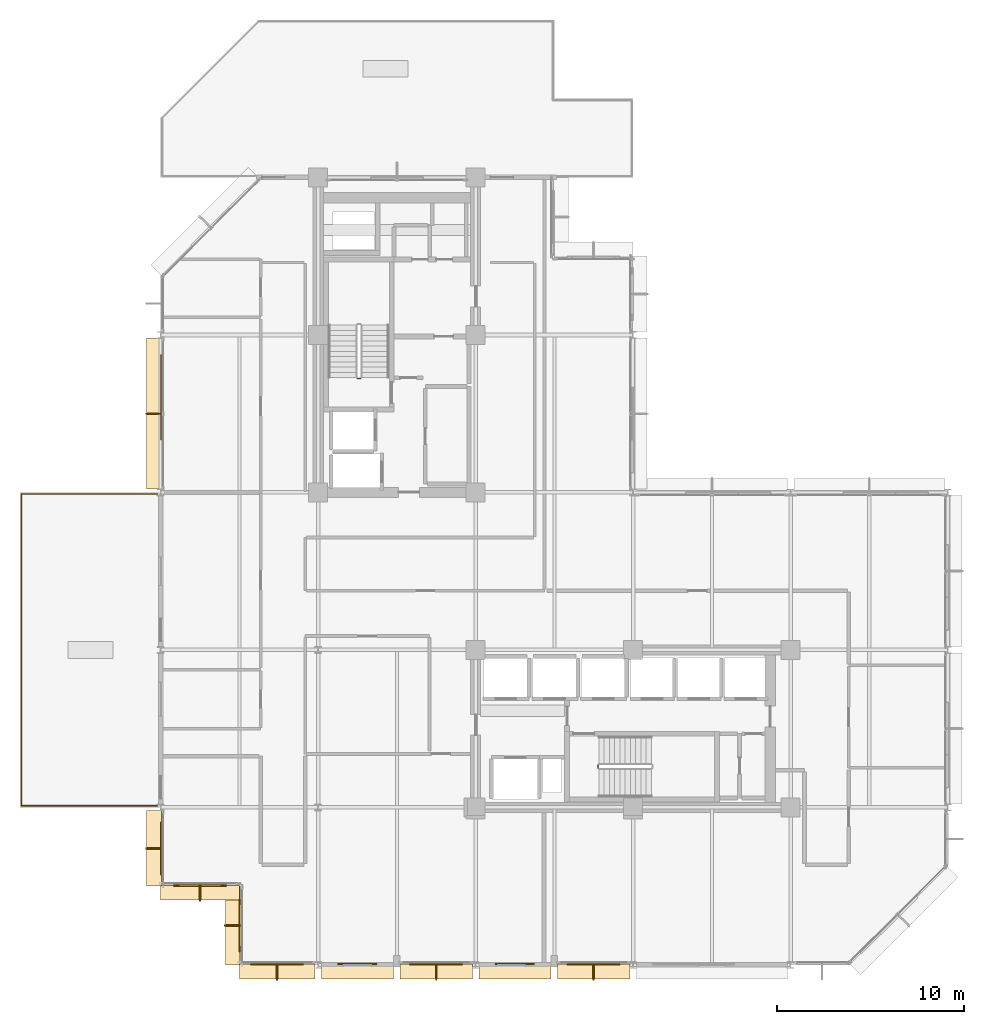
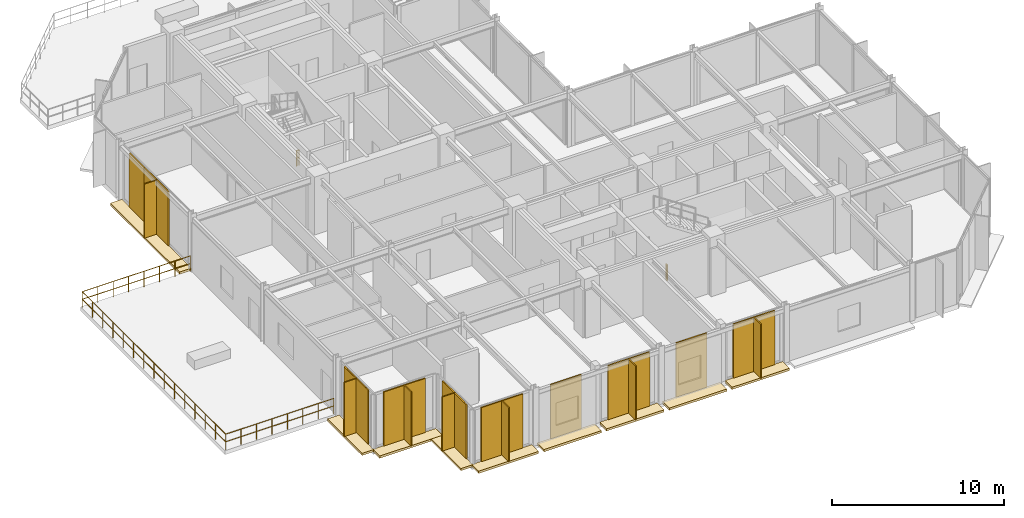
# One storey, part 19 of 21: 18 coverings, 14 shading devices, 5 railings.
"""IFC4 building model written with IfcOpenShell, lengths in metres."""

from ifc_helpers import new_model, si_unit, direction, frame, origin, origin_2d, place, context, subcontext, project, spatial, polyline, rectangle, circle, outline, extrude, material, layer, layer_set, type_object, element, save


model = new_model("IFC4")

# Units and contexts
model_context = context("Model", 3, precision=1e-05, world=origin(), true_north=direction((0.0, 1.0)))
body_context = subcontext(model_context, "Body", "Model", "MODEL_VIEW")
ifc_project = project(units=[si_unit("LENGTHUNIT", "METRE"), si_unit("AREAUNIT", "SQUARE_METRE"), si_unit("VOLUMEUNIT", "CUBIC_METRE"), si_unit("PLANEANGLEUNIT", "RADIAN"), si_unit("MASSUNIT", "GRAM", prefix="KILO")], contexts=[model_context])

# Site, building, storey
site_placement = place(None, origin())
site = spatial("IfcSite", under=ifc_project, at=site_placement, CompositionType="ELEMENT")
building_placement = place(site_placement, origin())
building = spatial("IfcBuilding", under=site, at=building_placement, Name="Nerrivon Quay Data Exchange", CompositionType="ELEMENT")
storey_placement = place(building_placement, frame((0.0, 0.0, 220.60009765625)))
storey = spatial("IfcBuildingStorey", under=building, at=storey_placement, Name="L52", CompositionType="ELEMENT", Elevation=220.60009765625)

# Coverings
ifc_material_1 = material(Name="Architectural terracotta ceramic", Category="masonry")
ifc_layer_1 = layer(ifc_material_1, 0.159912109375)
ifc_layer_set_1 = layer_set([ifc_layer_1], Name="Architectural terracotta ceramic")
covering_type_1 = type_object("IfcCoveringType", Name="COV-BLD-TERR", PredefinedType="CLADDING", material=ifc_layer_set_1)
covering_1_placement = place(storey_placement, frame((0.0, 0.0, -0.16015625)))
element("IfcCovering", 1, at=covering_1_placement, inside=storey, type_object=covering_type_1, Name="L52 Horizontal Terracotta SOLAR SCREEN Blade", PredefinedType="CLADDING", context=body_context, shape_type="SweptSolid", body=[
    extrude(outline(polyline([(25.02490234375, 0.0400390625), (21.175048828125, 0.0400390625), (21.175048828125, -0.75), (25.02490234375, -0.75), (25.02490234375, 0.0400390625)])), origin(), (0.0, 0.0, 1.0), 0.16015625),
])
covering_2_placement = place(storey_placement, frame((0.0, 0.0, -0.16015625)))
element("IfcCovering", 2, at=covering_2_placement, inside=storey, type_object=covering_type_1, Name="L52 Horizontal Terracotta SOLAR SCREEN Blade", PredefinedType="CLADDING", context=body_context, shape_type="SweptSolid", body=[
    extrude(outline(polyline([(20.824951171875, 0.0400390625), (16.97509765625, 0.0400390625), (16.97509765625, -0.75), (20.824951171875, -0.75), (20.824951171875, 0.0400390625)])), origin(), (0.0, 0.0, 1.0), 0.16015625),
])
covering_3_placement = place(storey_placement, frame((0.0, 0.0, -0.16015625)))
element("IfcCovering", 3, at=covering_3_placement, inside=storey, type_object=covering_type_1, Name="L52 Horizontal Terracotta SOLAR SCREEN Blade", PredefinedType="CLADDING", context=body_context, shape_type="SweptSolid", body=[
    extrude(outline(polyline([(16.625, 0.0400390625), (12.77490234375, 0.0400390625), (12.77490234375, -0.75), (16.625, -0.75), (16.625, 0.0400390625)])), origin(), (0.0, 0.0, 1.0), 0.16015625),
])
covering_4_placement = place(storey_placement, frame((0.0, 0.0, -0.16015625)))
element("IfcCovering", 4, at=covering_4_placement, inside=storey, type_object=covering_type_1, Name="L52 Horizontal Terracotta SOLAR SCREEN Blade", PredefinedType="CLADDING", context=body_context, shape_type="SweptSolid", body=[
    extrude(outline(polyline([(12.425048828125, 0.0400390625), (8.574951171875, 0.0400390625), (8.574951171875, -0.75), (12.425048828125, -0.75), (12.425048828125, 0.0400390625)])), origin(), (0.0, 0.0, 1.0), 0.16015625),
])
covering_5_placement = place(storey_placement, frame((0.0, 0.0, -0.16015625)))
element("IfcCovering", 5, at=covering_5_placement, inside=storey, type_object=covering_type_1, Name="L52 Horizontal Terracotta SOLAR SCREEN Blade", PredefinedType="CLADDING", context=body_context, shape_type="SweptSolid", body=[
    extrude(outline(polyline([(8.22509765625, 0.0400390625), (4.199951171875, 0.0400390625), (4.199951171875, -0.75), (8.22509765625, -0.75), (8.22509765625, 0.0400390625)])), origin(), (0.0, 0.0, 1.0), 0.16015625),
])
covering_6_placement = place(storey_placement, frame((0.0, 0.0, -0.16015625)))
element("IfcCovering", 6, at=covering_6_placement, inside=storey, type_object=covering_type_1, Name="L52 Horizontal Terracotta SOLAR SCREEN Blade", PredefinedType="CLADDING", context=body_context, shape_type="SweptSolid", body=[
    extrude(outline(polyline([(4.239990234375, 0.0), (4.239990234375, 4.199951171875), (3.449951171875, 4.199951171875), (3.449951171875, 0.0), (4.239990234375, 0.0)])), origin(), (0.0, 0.0, 1.0), 0.16015625),
])
covering_7_placement = place(storey_placement, frame((0.0, 0.0, -0.16015625)))
element("IfcCovering", 7, at=covering_7_placement, inside=storey, type_object=covering_type_1, Name="L52 Horizontal Terracotta SOLAR SCREEN Blade", PredefinedType="CLADDING", context=body_context, shape_type="SweptSolid", body=[
    extrude(outline(polyline([(4.199951171875, 4.239990234375), (0.0, 4.239990234375), (0.0, 3.449951171875), (4.199951171875, 3.449951171875), (4.199951171875, 4.239990234375)])), origin(), (0.0, 0.0, 1.0), 0.16015625),
])
covering_8_placement = place(storey_placement, frame((0.0, 0.0, -0.16015625)))
element("IfcCovering", 8, at=covering_8_placement, inside=storey, type_object=covering_type_1, Name="L52 Horizontal Terracotta SOLAR SCREEN Blade", PredefinedType="CLADDING", context=body_context, shape_type="SweptSolid", body=[
    extrude(outline(polyline([(0.0400390625, 4.199951171875), (0.0400390625, 8.22509765625), (-0.75, 8.22509765625), (-0.75, 4.199951171875), (0.0400390625, 4.199951171875)])), origin(), (0.0, 0.0, 1.0), 0.16015625),
])
covering_9_placement = place(storey_placement, frame((0.0, 0.0, -0.16015625)))
element("IfcCovering", 9, at=covering_9_placement, inside=storey, type_object=covering_type_1, Name="L52 Horizontal Terracotta SOLAR SCREEN Blade", PredefinedType="CLADDING", context=body_context, shape_type="SweptSolid", body=[
    extrude(outline(polyline([(0.0400390625, 25.375), (0.0400390625, 33.425048828125), (-0.75, 33.425048828125), (-0.75, 25.375), (0.0400390625, 25.375)])), origin(), (0.0, 0.0, 1.0), 0.16015625),
])
ifc_layer_2 = layer(ifc_material_1, 0.090087890625)
ifc_layer_set_2 = layer_set([ifc_layer_2], Name="Architectural terracotta ceramic")
covering_type_2 = type_object("IfcCoveringType", Name="COV-SCR-TERR", PredefinedType="CLADDING", material=ifc_layer_set_2)
for number, where, z_axis, x_axis, name in (
    (10, (23.10009765625, 0.044921875, 0.0), (0.0, 0.0, 1.0), (-1.0, 0.0, 0.0), "L52 Perforated Terracotta SOLAR SCREEN Cassette"),
    (11, (18.89990234375, 0.044921875, 0.0), (0.0, 0.0, 1.0), (-1.0, 0.0, 0.0), "L52 Perforated Terracotta SOLAR SCREEN Cassette"),
    (12, (14.699951171875, 0.044921875, 0.0), (0.0, 0.0, 1.0), (-1.0, 0.0, 0.0), "L52 Perforated Terracotta SOLAR SCREEN Cassette"),
    (13, (10.5, 0.044921875, 0.0), (0.0, 0.0, 1.0), (-1.0, 0.0, 0.0), "L52 Perforated Terracotta SOLAR SCREEN Cassette"),
):
    element("IfcCovering", number, at=place(storey_placement, frame(where, z_axis=z_axis, x_axis=x_axis)), inside=storey, type_object=covering_type_2, Name=name, PredefinedType="CLADDING", context=body_context, shape_type="SweptSolid", body=[
        extrude(rectangle(XDim=2.0791015625, YDim=0.090087890625, at=origin_2d()), origin(), (0.0, 0.0, 1.0), 3.824951171875),
    ])
covering_10_placement = place(storey_placement, frame((6.21240234375, 0.044921875, 0.0), z_axis=(0.0, 0.0, 1.0), x_axis=(-1.0, 0.0, 0.0)))
element("IfcCovering", 14, at=covering_10_placement, inside=storey, type_object=covering_type_2, Name="L52 Perforated Terracotta SOLAR SCREEN Cassette", PredefinedType="CLADDING", context=body_context, shape_type="SweptSolid", body=[
    extrude(rectangle(XDim=2.173095703125, YDim=0.090087890625, at=origin_2d()), origin(), (0.0, 0.0, 1.0), 3.824951171875),
])
for number, where, z_axis, x_axis, name in (
    (15, (4.2451171875, 2.10009765625, 0.0), (0.0, 0.0, 1.0), (0.0, 1.0, 0.0), "L52 Perforated Terracotta SOLAR SCREEN Cassette"),
    (16, (2.10009765625, 4.2451171875, 0.0), (0.0, 0.0, 1.0), (-1.0, 0.0, 0.0), "L52 Perforated Terracotta SOLAR SCREEN Cassette"),
):
    element("IfcCovering", number, at=place(storey_placement, frame(where, z_axis=z_axis, x_axis=x_axis)), inside=storey, type_object=covering_type_2, Name=name, PredefinedType="CLADDING", context=body_context, shape_type="SweptSolid", body=[
        extrude(rectangle(XDim=2.26806640625, YDim=0.090087890625, at=origin_2d()), origin(), (0.0, 0.0, 1.0), 3.824951171875),
    ])
covering_11_placement = place(storey_placement, frame((0.044921875, 6.21240234375, 0.0), z_axis=(0.0, 0.0, 1.0), x_axis=(0.0, 1.0, 0.0)))
element("IfcCovering", 17, at=covering_11_placement, inside=storey, type_object=covering_type_2, Name="L52 Perforated Terracotta SOLAR SCREEN Cassette", PredefinedType="CLADDING", context=body_context, shape_type="SweptSolid", body=[
    extrude(rectangle(XDim=2.173095703125, YDim=0.090087890625, at=origin_2d()), origin(), (0.0, 0.0, 1.0), 3.824951171875),
])
covering_12_placement = place(storey_placement, frame((0.044921875, 30.365966796875, 0.0), z_axis=(0.0, 0.0, 1.0), x_axis=(0.0, 1.0, 0.0)))
element("IfcCovering", 18, at=covering_12_placement, inside=storey, type_object=covering_type_2, Name="L52 Perforated Terracotta SOLAR SCREEN Cassette", PredefinedType="CLADDING", context=body_context, shape_type="SweptSolid", body=[
    extrude(rectangle(XDim=4.346923828125, YDim=0.090087890625, at=origin_2d()), origin(), (0.0, 0.0, 1.0), 3.824951171875),
])

# Railings
ifc_material_2 = material(Name="Steel Grade C350L0 (350 MPa)", Category="steel")
railing_type_1 = type_object("IfcRailingType", Name="RAIL-GUARD-GR2", PredefinedType="BALUSTRADE", material=ifc_material_2)
railing_1_placement = place(storey_placement, frame((-7.419921875, 8.47998046875, 0.0)))
element("IfcRailing", 19, at=railing_1_placement, inside=storey, type_object=railing_type_1, Name="L52 Terrace Perimeter Guard 2.1 1", PredefinedType="BALUSTRADE", context=body_context, shape_type="SweptSolid", body=[
    extrude(circle(Radius=0.02392578125, at=origin_2d()), frame((0.0, 0.0, 1.09619140625), z_axis=(0.0, 1.0, 0.0), x_axis=(-1.0, 0.0, 0.0)), (0.0, 0.0, 1.0), 16.64013671875),
    extrude(circle(Radius=0.02392578125, at=origin_2d()), frame((0.0, 0.0, 0.56005859375), z_axis=(0.0, 1.0, 0.0), x_axis=(-1.0, 0.0, 0.0)), (0.0, 0.0, 1.0), 16.64013671875),
    extrude(circle(Radius=0.02099609375, at=origin_2d()), origin(), (0.0, 0.0, 1.0), 1.072021484375),
    extrude(circle(Radius=0.02099609375, at=origin_2d()), frame((0.0, 1.1884765625, 0.0)), (0.0, 0.0, 1.0), 1.072021484375),
    extrude(circle(Radius=0.02099609375, at=origin_2d()), frame((0.0, 2.377197265625, 0.0)), (0.0, 0.0, 1.0), 1.072021484375),
    extrude(circle(Radius=0.02099609375, at=origin_2d()), frame((0.0, 3.565673828125, 0.0)), (0.0, 0.0, 1.0), 1.072021484375),
    extrude(circle(Radius=0.02099609375, at=origin_2d()), frame((0.0, 4.75439453125, 0.0)), (0.0, 0.0, 1.0), 1.072021484375),
    extrude(circle(Radius=0.02099609375, at=origin_2d()), frame((0.0, 5.94287109375, 0.0)), (0.0, 0.0, 1.0), 1.072021484375),
    extrude(circle(Radius=0.02099609375, at=origin_2d()), frame((0.0, 7.131591796875, 0.0)), (0.0, 0.0, 1.0), 1.072021484375),
    extrude(circle(Radius=0.02099609375, at=origin_2d()), frame((0.0, 8.320068359375, 0.0)), (0.0, 0.0, 1.0), 1.072021484375),
    extrude(circle(Radius=0.02099609375, at=origin_2d()), frame((0.0, 9.508544921875, 0.0)), (0.0, 0.0, 1.0), 1.072021484375),
    extrude(circle(Radius=0.02099609375, at=origin_2d()), frame((0.0, 10.697265625, 0.0)), (0.0, 0.0, 1.0), 1.072021484375),
    extrude(circle(Radius=0.02099609375, at=origin_2d()), frame((0.0, 11.8857421875, 0.0)), (0.0, 0.0, 1.0), 1.072021484375),
    extrude(circle(Radius=0.02099609375, at=origin_2d()), frame((0.0, 13.074462890625, 0.0)), (0.0, 0.0, 1.0), 1.072021484375),
    extrude(circle(Radius=0.02099609375, at=origin_2d()), frame((0.0, 14.262939453125, 0.0)), (0.0, 0.0, 1.0), 1.072021484375),
    extrude(circle(Radius=0.02099609375, at=origin_2d()), frame((0.0, 15.45166015625, 0.0)), (0.0, 0.0, 1.0), 1.072021484375),
    extrude(circle(Radius=0.02099609375, at=origin_2d()), frame((0.0, 16.64013671875, 0.0)), (0.0, 0.0, 1.0), 1.072021484375),
])
railing_2_placement = place(storey_placement, frame((-7.419921875, 25.1201171875, 0.0)))
element("IfcRailing", 20, at=railing_2_placement, inside=storey, type_object=railing_type_1, Name="L52 Terrace Perimeter Guard 2.2 1", PredefinedType="BALUSTRADE", context=body_context, shape_type="SweptSolid", body=[
    extrude(circle(Radius=0.02392578125, at=origin_2d()), frame((0.0, 0.0, 1.09619140625), z_axis=(1.0, 0.0, 0.0), x_axis=(0.0, 1.0, 0.0)), (0.0, 0.0, 1.0), 7.239990234375),
    extrude(circle(Radius=0.02392578125, at=origin_2d()), frame((0.0, 0.0, 0.56005859375), z_axis=(1.0, 0.0, 0.0), x_axis=(0.0, 1.0, 0.0)), (0.0, 0.0, 1.0), 7.239990234375),
    extrude(circle(Radius=0.02099609375, at=origin_2d()), origin(), (0.0, 0.0, 1.0), 1.072021484375),
    extrude(circle(Radius=0.02099609375, at=origin_2d()), frame((1.0341796875, 0.0, 0.0)), (0.0, 0.0, 1.0), 1.072021484375),
    extrude(circle(Radius=0.02099609375, at=origin_2d()), frame((2.068603515625, 0.0, 0.0)), (0.0, 0.0, 1.0), 1.072021484375),
    extrude(circle(Radius=0.02099609375, at=origin_2d()), frame((3.102783203125, 0.0, 0.0)), (0.0, 0.0, 1.0), 1.072021484375),
    extrude(circle(Radius=0.02099609375, at=origin_2d()), frame((4.13720703125, 0.0, 0.0)), (0.0, 0.0, 1.0), 1.072021484375),
    extrude(circle(Radius=0.02099609375, at=origin_2d()), frame((5.17138671875, 0.0, 0.0)), (0.0, 0.0, 1.0), 1.072021484375),
    extrude(circle(Radius=0.02099609375, at=origin_2d()), frame((6.205810546875, 0.0, 0.0)), (0.0, 0.0, 1.0), 1.072021484375),
    extrude(circle(Radius=0.02099609375, at=origin_2d()), frame((7.239990234375, 0.0, 0.0)), (0.0, 0.0, 1.0), 1.072021484375),
])
railing_3_placement = place(storey_placement, frame((-0.179931640625, 8.47998046875, 0.0)))
element("IfcRailing", 21, at=railing_3_placement, inside=storey, type_object=railing_type_1, Name="L52 Terrace Perimeter Guard 2.3 1", PredefinedType="BALUSTRADE", context=body_context, shape_type="SweptSolid", body=[
    extrude(circle(Radius=0.02392578125, at=origin_2d()), frame((0.0, 0.0, 1.09619140625), z_axis=(-1.0, 0.0, 0.0), x_axis=(0.0, -1.0, 0.0)), (0.0, 0.0, 1.0), 7.239990234375),
    extrude(circle(Radius=0.02392578125, at=origin_2d()), frame((0.0, 0.0, 0.56005859375), z_axis=(-1.0, 0.0, 0.0), x_axis=(0.0, -1.0, 0.0)), (0.0, 0.0, 1.0), 7.239990234375),
    extrude(circle(Radius=0.02099609375, at=origin_2d()), origin(), (0.0, 0.0, 1.0), 1.072021484375),
    extrude(circle(Radius=0.02099609375, at=origin_2d()), frame((-1.0341796875, 0.0, 0.0)), (0.0, 0.0, 1.0), 1.072021484375),
    extrude(circle(Radius=0.02099609375, at=origin_2d()), frame((-2.068603515625, 0.0, 0.0)), (0.0, 0.0, 1.0), 1.072021484375),
    extrude(circle(Radius=0.02099609375, at=origin_2d()), frame((-3.102783203125, 0.0, 0.0)), (0.0, 0.0, 1.0), 1.072021484375),
    extrude(circle(Radius=0.02099609375, at=origin_2d()), frame((-4.13720703125, 0.0, 0.0)), (0.0, 0.0, 1.0), 1.072021484375),
    extrude(circle(Radius=0.02099609375, at=origin_2d()), frame((-5.17138671875, 0.0, 0.0)), (0.0, 0.0, 1.0), 1.072021484375),
    extrude(circle(Radius=0.02099609375, at=origin_2d()), frame((-6.205810546875, 0.0, 0.0)), (0.0, 0.0, 1.0), 1.072021484375),
    extrude(circle(Radius=0.02099609375, at=origin_2d()), frame((-7.239990234375, 0.0, 0.0)), (0.0, 0.0, 1.0), 1.072021484375),
])
railing_type_2 = type_object("IfcRailingType", Name="RAIL-STAIR-GR1", PredefinedType="BALUSTRADE", material=ifc_material_2)
railing_4_placement = place(storey_placement, frame((10.64990234375, 31.280029296875, 0.0)))
element("IfcRailing", 22, at=railing_4_placement, inside=storey, type_object=railing_type_2, Name="L52 ST01 stair guard 4", PredefinedType="BALUSTRADE", context=body_context, shape_type="SweptSolid", body=[
    extrude(circle(Radius=0.02392578125, at=origin_2d()), frame((0.0, 0.0, 1.076171875), z_axis=(-1.0, 0.0, 0.0), x_axis=(0.0, -1.0, 0.0)), (0.0, 0.0, 1.0), 0.14990234375),
    extrude(circle(Radius=0.02392578125, at=origin_2d()), frame((0.0, 0.0, 0.550048828125), z_axis=(-1.0, 0.0, 0.0), x_axis=(0.0, -1.0, 0.0)), (0.0, 0.0, 1.0), 0.14990234375),
    extrude(circle(Radius=0.02099609375, at=origin_2d()), origin(), (0.0, 0.0, 1.0), 1.052001953125),
    extrude(circle(Radius=0.02099609375, at=origin_2d()), frame((-0.14990234375, 0.0, 0.0)), (0.0, 0.0, 1.0), 1.052001953125),
])
railing_5_placement = place(storey_placement, frame((23.330078125, 10.5, 0.0)))
element("IfcRailing", 23, at=railing_5_placement, inside=storey, type_object=railing_type_2, Name="L52 ST02 stair guard 4", PredefinedType="BALUSTRADE", context=body_context, shape_type="SweptSolid", body=[
    extrude(circle(Radius=0.02392578125, at=origin_2d()), frame((0.0, 0.0, 1.076171875), z_axis=(0.0, 1.0, 0.0), x_axis=(-1.0, 0.0, 0.0)), (0.0, 0.0, 1.0), 0.14990234375),
    extrude(circle(Radius=0.02392578125, at=origin_2d()), frame((0.0, 0.0, 0.550048828125), z_axis=(0.0, 1.0, 0.0), x_axis=(-1.0, 0.0, 0.0)), (0.0, 0.0, 1.0), 0.14990234375),
    extrude(circle(Radius=0.02099609375, at=origin_2d()), origin(), (0.0, 0.0, 1.0), 1.052001953125),
    extrude(circle(Radius=0.02099609375, at=origin_2d()), frame((0.0, 0.14990234375, 0.0)), (0.0, 0.0, 1.0), 1.052001953125),
])

# Shading devices
ifc_layer_3 = layer(ifc_material_1, 0.074951171875)
ifc_layer_set_3 = layer_set([ifc_layer_3], Name="Architectural terracotta ceramic")
shading_device_type_1 = type_object("IfcShadingDeviceType", Name="SHD-FIN-SS02", PredefinedType="USERDEFINED", material=ifc_layer_set_3)
for number, where, z_axis, x_axis, name in (
    (24, (23.10009765625, -0.3798828125, 0.0), (0.0, 0.0, 1.0), (-1.0, 0.0, 0.0), "L52 Subtropical Solar Fin Blade 4"),
    (25, (14.699951171875, -0.3798828125, 0.0), (0.0, 0.0, 1.0), (-1.0, 0.0, 0.0), "L52 Subtropical Solar Fin Blade 6"),
    (26, (6.21240234375, -0.3798828125, 0.0), (0.0, 0.0, 1.0), (-1.0, 0.0, 0.0), "L52 Subtropical Solar Fin Blade 8"),
    (27, (3.820068359375, 2.10009765625, 0.0), (0.0, 0.0, 1.0), (0.0, 1.0, 0.0), "L52 Subtropical Solar Fin Blade 9"),
    (28, (2.10009765625, 3.820068359375, 0.0), (0.0, 0.0, 1.0), (-1.0, 0.0, 0.0), "L52 Subtropical Solar Fin Blade 10"),
    (29, (-0.3798828125, 6.21240234375, 0.0), (0.0, 0.0, 1.0), (0.0, 1.0, 0.0), "L52 Subtropical Solar Fin Blade 11"),
    (30, (-0.3798828125, 29.39990234375, 0.0), (0.0, 0.0, 1.0), (0.0, 1.0, 0.0), "L52 Subtropical Solar Fin Blade 14"),
):
    element("IfcShadingDevice", number, at=place(storey_placement, frame(where, z_axis=z_axis, x_axis=x_axis)), inside=storey, type_object=shading_device_type_1, Name=name, ObjectType="FIN", PredefinedType="USERDEFINED", context=body_context, shape_type="SweptSolid", body=[
        extrude(rectangle(XDim=0.074951171875, YDim=0.85009765625, at=origin_2d()), origin(), (0.0, 0.0, 1.0), 3.824951171875),
    ])
ifc_layer_4 = layer(ifc_material_1, 0.0849609375)
ifc_layer_set_4 = layer_set([ifc_layer_4], Name="Architectural terracotta ceramic")
shading_device_type_2 = type_object("IfcShadingDeviceType", Name="SHD-SCR-SS01", PredefinedType="USERDEFINED", material=ifc_layer_set_4)
for number, where, z_axis, x_axis, name in (
    (31, (23.10009765625, 0.0400390625, 0.0), (0.0, 0.0, 1.0), (-1.0, 0.0, 0.0), "L52 Perforated Terracotta Solar Screen 4"),
    (32, (14.699951171875, 0.0400390625, 0.0), (0.0, 0.0, 1.0), (-1.0, 0.0, 0.0), "L52 Perforated Terracotta Solar Screen 6"),
    (33, (6.21240234375, 0.0400390625, 0.0), (0.0, 0.0, 1.0), (-1.0, 0.0, 0.0), "L52 Perforated Terracotta Solar Screen 8"),
    (34, (4.239990234375, 2.10009765625, 0.0), (0.0, 0.0, 1.0), (0.0, 1.0, 0.0), "L52 Perforated Terracotta Solar Screen 9"),
    (35, (2.10009765625, 4.239990234375, 0.0), (0.0, 0.0, 1.0), (-1.0, 0.0, 0.0), "L52 Perforated Terracotta Solar Screen 10"),
    (36, (0.0400390625, 6.21240234375, 0.0), (0.0, 0.0, 1.0), (0.0, 1.0, 0.0), "L52 Perforated Terracotta Solar Screen 11"),
    (37, (0.0400390625, 29.39990234375, 0.0), (0.0, 0.0, 1.0), (0.0, 1.0, 0.0), "L52 Perforated Terracotta Solar Screen 14"),
):
    element("IfcShadingDevice", number, at=place(storey_placement, frame(where, z_axis=z_axis, x_axis=x_axis)), inside=storey, type_object=shading_device_type_2, Name=name, ObjectType="SCREEN", PredefinedType="USERDEFINED", context=body_context, shape_type="SweptSolid", body=[
        extrude(rectangle(XDim=2.800048828125, YDim=0.0849609375, at=origin_2d()), origin(), (0.0, 0.0, 1.0), 3.824951171875),
    ])

save(model, "model.ifc")
